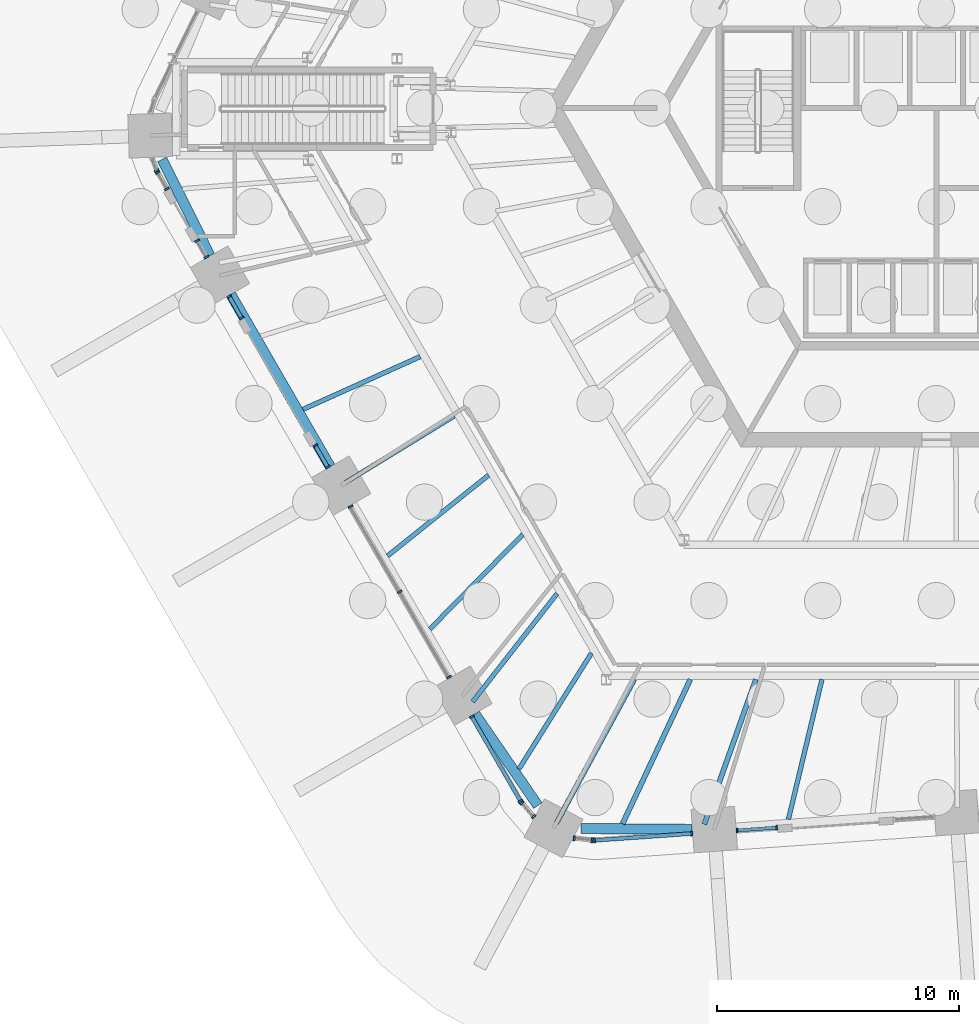
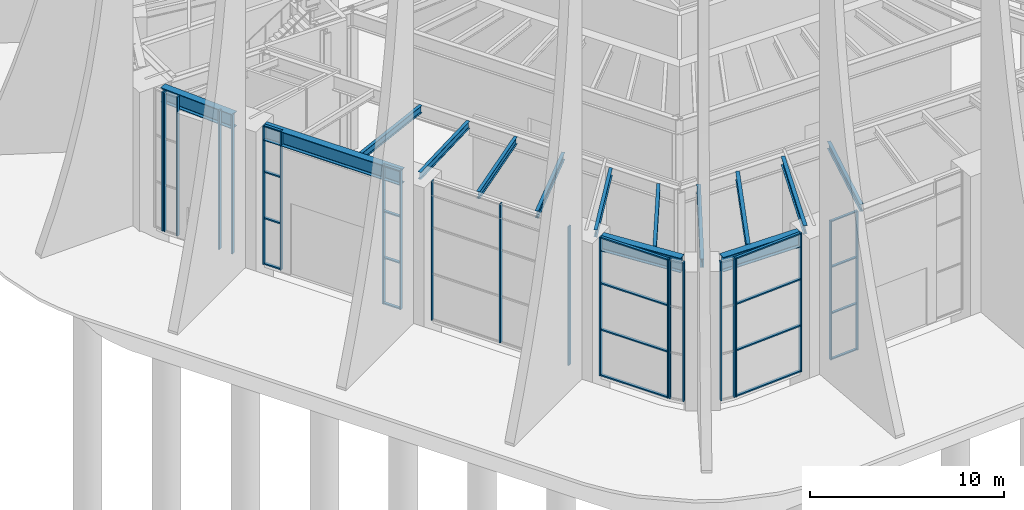
# One storey, part 4 of 43: 42 members, 14 beams, 11 elements without a shape of their own.
"""IFC4 building model written with IfcOpenShell, lengths in metres."""

from ifc_helpers import new_model, si_unit, direction, frame, origin, origin_2d, place, context, subcontext, project, spatial, rectangle, i_section, extrude, material, material_profile, profile_set, type_object, element, aggregate, save


model = new_model("IFC4")

# Units and contexts
model_context = context("Model", 3, precision=1e-05, world=origin(), true_north=direction((0.0, 1.0)))
body_context = subcontext(model_context, "Body", "Model", "MODEL_VIEW")
ifc_project = project(units=[si_unit("LENGTHUNIT", "METRE"), si_unit("AREAUNIT", "SQUARE_METRE"), si_unit("VOLUMEUNIT", "CUBIC_METRE"), si_unit("PLANEANGLEUNIT", "RADIAN"), si_unit("MASSUNIT", "GRAM", prefix="KILO")], contexts=[model_context])

# Site, building, storey
site_placement = place(None, origin())
site = spatial("IfcSite", under=ifc_project, at=site_placement, CompositionType="ELEMENT")
building_placement = place(site_placement, origin())
building = spatial("IfcBuilding", under=site, at=building_placement, Name="Tarnside Tower", CompositionType="ELEMENT")
storey_placement = place(building_placement, origin())
storey = spatial("IfcBuildingStorey", under=building, at=storey_placement, Name="L00", CompositionType="ELEMENT", Elevation=0.0)

# Beams
ifc_material_1 = material(Name="Steel S355", Category="steel")
ifc_material_profile_1 = material_profile(ifc_material_1, i_section(OverallWidth=0.18994140625, OverallDepth=0.453369140625, WebThickness=0.008544921875, FlangeThickness=0.0126953125, FilletRadius=0.01025390625, at=origin_2d()), Name="UB 457x191x67")
ifc_profile_set_1 = profile_set([ifc_material_profile_1], Name="Steel S355")
beam_type_1 = type_object("IfcBeamType", Name="Floor beam UB 457x191x67", PredefinedType="BEAM", material=ifc_profile_set_1)
beam_1_placement = place(storey_placement, frame((-26.171875, -12.44873046875, 8.523193359375), z_axis=(0.911701954264, 0.410852219894, 0.0), x_axis=(-0.410852219894, 0.911701954264, 0.0)))
element("IfcBeam", 1, at=beam_1_placement, inside=storey, type_object=beam_type_1, Name="Floor beam F3.04a", PredefinedType="BEAM", context=body_context, shape_type="SweptSolid", body=[
    extrude(i_section(OverallWidth=0.18994140625, OverallDepth=0.453369140625, WebThickness=0.008544921875, FlangeThickness=0.0126953125, FilletRadius=0.01025390625, at=origin_2d()), origin(), (0.0, 0.0, 1.0), 5.308837890625),
])
beam_2_placement = place(storey_placement, frame((-24.42431640625, -15.47509765625, 8.523193359375), z_axis=(0.852942418075, 0.522005010943, 0.0), x_axis=(-0.522005010943, 0.852942418075, 0.0)))
element("IfcBeam", 2, at=beam_2_placement, inside=storey, type_object=beam_type_1, Name="Floor beam F3.05a", PredefinedType="BEAM", context=body_context, shape_type="SweptSolid", body=[
    extrude(i_section(OverallWidth=0.18994140625, OverallDepth=0.453369140625, WebThickness=0.008544921875, FlangeThickness=0.0126953125, FilletRadius=0.01025390625, at=origin_2d()), origin(), (0.0, 0.0, 1.0), 5.28369140625),
])
beam_3_placement = place(storey_placement, frame((-22.677001953125, -18.501708984375, 8.523193359375), z_axis=(0.781203071378, 0.624276990822, 0.0), x_axis=(-0.624276990822, 0.781203071378, 0.0)))
element("IfcBeam", 3, at=beam_3_placement, inside=storey, type_object=beam_type_1, Name="Floor beam F3.06a", PredefinedType="BEAM", context=body_context, shape_type="SweptSolid", body=[
    extrude(i_section(OverallWidth=0.18994140625, OverallDepth=0.453369140625, WebThickness=0.008544921875, FlangeThickness=0.0126953125, FilletRadius=0.01025390625, at=origin_2d()), origin(), (0.0, 0.0, 1.0), 5.342529296875),
])
beam_4_placement = place(storey_placement, frame((-20.9296875, -21.528076171875, 8.523193359375), z_axis=(0.700529883404, 0.713623067493, 0.0), x_axis=(-0.713623067493, 0.700529883404, 0.0)))
element("IfcBeam", 4, at=beam_4_placement, inside=storey, type_object=beam_type_1, Name="Floor beam F3.07a", PredefinedType="BEAM", context=body_context, shape_type="SweptSolid", body=[
    extrude(i_section(OverallWidth=0.18994140625, OverallDepth=0.453369140625, WebThickness=0.008544921875, FlangeThickness=0.0126953125, FilletRadius=0.01025390625, at=origin_2d()), origin(), (0.0, 0.0, 1.0), 5.48193359375),
])
beam_5_placement = place(storey_placement, frame((-19.159912109375, -24.52587890625, 8.523193359375), z_axis=(0.615659107807, 0.788012603309, 0.0), x_axis=(-0.788012603309, 0.615659107807, 0.0)))
element("IfcBeam", 5, at=beam_5_placement, inside=storey, type_object=beam_type_1, Name="Floor beam F3.08a", PredefinedType="BEAM", context=body_context, shape_type="SweptSolid", body=[
    extrude(i_section(OverallWidth=0.18994140625, OverallDepth=0.453369140625, WebThickness=0.008544921875, FlangeThickness=0.0126953125, FilletRadius=0.01025390625, at=origin_2d()), origin(), (0.0, 0.0, 1.0), 5.660400390625),
])
beam_6_placement = place(storey_placement, frame((-17.248779296875, -27.31103515625, 8.523193359375), z_axis=(0.530224377258, 0.847857364043, 0.0), x_axis=(-0.847857364043, 0.530224377258, 0.0)))
element("IfcBeam", 6, at=beam_6_placement, inside=storey, type_object=beam_type_1, Name="Floor beam F3.09a", PredefinedType="BEAM", context=body_context, shape_type="SweptSolid", body=[
    extrude(i_section(OverallWidth=0.18994140625, OverallDepth=0.453369140625, WebThickness=0.008544921875, FlangeThickness=0.0126953125, FilletRadius=0.01025390625, at=origin_2d()), origin(), (0.0, 0.0, 1.0), 5.6455078125),
])
beam_7_placement = place(storey_placement, frame((-6.113037109375, -29.3876953125, 8.523193359375), z_axis=(0.233101077282, 0.972452511833, 0.0), x_axis=(-0.972452511833, 0.233101077282, 0.0)))
element("IfcBeam", 7, at=beam_7_placement, inside=storey, type_object=beam_type_1, Name="Floor beam F4.03a", PredefinedType="BEAM", context=body_context, shape_type="SweptSolid", body=[
    extrude(i_section(OverallWidth=0.18994140625, OverallDepth=0.453369140625, WebThickness=0.008544921875, FlangeThickness=0.0126953125, FilletRadius=0.01025390625, at=origin_2d()), origin(), (0.0, 0.0, 1.0), 5.94384765625),
])
ifc_material_profile_2 = material_profile(ifc_material_1, i_section(OverallWidth=0.209228515625, OverallDepth=0.533203125, WebThickness=0.010009765625, FlangeThickness=0.015625, FilletRadius=0.0126953125, at=origin_2d()), Name="UB 533x210x92")
ifc_profile_set_2 = profile_set([ifc_material_profile_2], Name="Steel S355")
beam_type_2 = type_object("IfcBeamType", Name="Floor beam UB 533x210x92", PredefinedType="BEAM", material=ifc_profile_set_2)
beam_8_placement = place(storey_placement, frame((-15.70458984375, -29.550537109375, 8.4833984375), z_axis=(0.476583293481, 0.879129321758, 0.0), x_axis=(-0.879129321758, 0.476583293481, 0.0)))
element("IfcBeam", 8, at=beam_8_placement, inside=storey, type_object=beam_type_2, Name="Floor beam C3a", PredefinedType="BEAM", context=body_context, shape_type="SweptSolid", body=[
    extrude(i_section(OverallWidth=0.209228515625, OverallDepth=0.533203125, WebThickness=0.010009765625, FlangeThickness=0.015625, FilletRadius=0.0126953125, at=origin_2d()), origin(), (0.0, 0.0, 1.0), 6.760009765625),
])
beam_9_placement = place(storey_placement, frame((-12.9677734375, -29.572265625, 8.4833984375), z_axis=(0.424918910338, 0.905231417725, 0.0), x_axis=(-0.905231417725, 0.424918910338, 0.0)))
element("IfcBeam", 9, at=beam_9_placement, inside=storey, type_object=beam_type_2, Name="Floor beam F4.01a", PredefinedType="BEAM", context=body_context, shape_type="SweptSolid", body=[
    extrude(i_section(OverallWidth=0.209228515625, OverallDepth=0.533203125, WebThickness=0.010009765625, FlangeThickness=0.015625, FilletRadius=0.0126953125, at=origin_2d()), origin(), (0.0, 0.0, 1.0), 6.589111328125),
])
beam_10_placement = place(storey_placement, frame((-9.59130859375, -29.599365234375, 8.4833984375), z_axis=(0.335178552424, 0.942154625311, 0.0), x_axis=(-0.942154625311, 0.335178552424, 0.0)))
element("IfcBeam", 10, at=beam_10_placement, inside=storey, type_object=beam_type_2, Name="Floor beam F4.02a", PredefinedType="BEAM", context=body_context, shape_type="SweptSolid", body=[
    extrude(i_section(OverallWidth=0.209228515625, OverallDepth=0.533203125, WebThickness=0.010009765625, FlangeThickness=0.015625, FilletRadius=0.0126953125, at=origin_2d()), origin(), (0.0, 0.0, 1.0), 6.359619140625),
])

# Curtain wall, members
ifc_material_2 = material(Name="Lobby entrance glazing wall", Category="glass")
curtain_wall_type_1 = type_object("IfcCurtainWallType", Name="Lobby entrance glazing wall", PredefinedType="NOTDEFINED", material=ifc_material_2)
curtain_wall_1_placement = place(storey_placement, origin())
curtain_wall_1 = element("IfcCurtainWall", 11, at=curtain_wall_1_placement, inside=storey, type_object=curtain_wall_type_1, Name="Side light 12a", PredefinedType="NOTDEFINED")
ifc_material_3 = material(Name="Aluminium alloy 6063", Category="aluminium")
ifc_material_profile_3 = material_profile(ifc_material_3, rectangle(XDim=0.179931640625, YDim=0.070068359375, at=origin_2d()), Name="Lobby entrance glazing mullion 70 x 180")
ifc_profile_set_3 = profile_set([ifc_material_profile_3], Name="Aluminium alloy 6063")
member_type_1 = type_object("IfcMemberType", Name="Lobby entrance glazing mullion 70 x 180", PredefinedType="MULLION", material=ifc_profile_set_3)
member_1_placement = place(storey_placement, frame((-8.23779296875, -29.847412109375, 0.0), z_axis=(0.0, 0.0, 1.0), x_axis=(-0.06975647411, 0.997564050234, 0.0)))
member_1 = element("IfcMember", 12, at=member_1_placement, type_object=member_type_1, Name="CW3 mullion 1", PredefinedType="MULLION", context=body_context, shape_type="SweptSolid", body=[
    extrude(rectangle(XDim=0.179931640625, YDim=0.070068359375, at=origin_2d()), origin(), (0.0, 0.0, 1.0), 8.75),
])
member_2_placement = place(storey_placement, frame((-6.599853515625, -29.73291015625, 0.0), z_axis=(0.0, 0.0, 1.0), x_axis=(-0.06975647411, 0.997564050234, 0.0)))
member_2 = element("IfcMember", 13, at=member_2_placement, type_object=member_type_1, Name="CW3 mullion 2", PredefinedType="MULLION", context=body_context, shape_type="SweptSolid", body=[
    extrude(rectangle(XDim=0.179931640625, YDim=0.070068359375, at=origin_2d()), origin(), (0.0, 0.0, 1.0), 8.75),
])
ifc_material_profile_4 = material_profile(ifc_material_3, rectangle(XDim=0.139892578125, YDim=0.070068359375, at=origin_2d()), Name="Lobby entrance glazing transom 70 x 140")
ifc_profile_set_4 = profile_set([ifc_material_profile_4], Name="Aluminium alloy 6063")
member_type_2 = type_object("IfcMemberType", Name="Lobby entrance glazing transom 70 x 140", PredefinedType="USERDEFINED", material=ifc_profile_set_4)
member_3_placement = place(storey_placement, frame((-8.202880859375, -29.844970703125, 0.034912109375), z_axis=(0.997565562149, 0.069734849355, 0.0), x_axis=(-0.069734849355, 0.997565562149, 0.0)))
member_3 = element("IfcMember", 14, at=member_3_placement, type_object=member_type_2, Name="CW3 transom 1.1", ObjectType="TRANSOM", PredefinedType="USERDEFINED", context=body_context, shape_type="SweptSolid", body=[
    extrude(rectangle(XDim=0.139892578125, YDim=0.070068359375, at=origin_2d()), origin(), (0.0, 0.0, 1.0), 1.572021484375),
])
member_4_placement = place(storey_placement, frame((-8.202880859375, -29.844970703125, 2.916748046875), z_axis=(0.997565562149, 0.069734849355, 0.0), x_axis=(-0.069734849355, 0.997565562149, 0.0)))
member_4 = element("IfcMember", 15, at=member_4_placement, type_object=member_type_2, Name="CW3 transom 1.2", ObjectType="TRANSOM", PredefinedType="USERDEFINED", context=body_context, shape_type="SweptSolid", body=[
    extrude(rectangle(XDim=0.139892578125, YDim=0.070068359375, at=origin_2d()), origin(), (0.0, 0.0, 1.0), 1.572021484375),
])
member_5_placement = place(storey_placement, frame((-8.202880859375, -29.844970703125, 5.833251953125), z_axis=(0.997565562149, 0.069734849355, 0.0), x_axis=(-0.069734849355, 0.997565562149, 0.0)))
member_5 = element("IfcMember", 16, at=member_5_placement, type_object=member_type_2, Name="CW3 transom 1.3", ObjectType="TRANSOM", PredefinedType="USERDEFINED", context=body_context, shape_type="SweptSolid", body=[
    extrude(rectangle(XDim=0.139892578125, YDim=0.070068359375, at=origin_2d()), origin(), (0.0, 0.0, 1.0), 1.572021484375),
])
member_6_placement = place(storey_placement, frame((-8.202880859375, -29.844970703125, 8.715087890625), z_axis=(0.997565562149, 0.069734849355, 0.0), x_axis=(-0.069734849355, 0.997565562149, 0.0)))
member_6 = element("IfcMember", 17, at=member_6_placement, type_object=member_type_2, Name="CW3 transom 1.4", ObjectType="TRANSOM", PredefinedType="USERDEFINED", context=body_context, shape_type="SweptSolid", body=[
    extrude(rectangle(XDim=0.139892578125, YDim=0.070068359375, at=origin_2d()), origin(), (0.0, 0.0, 1.0), 1.572021484375),
])
aggregate(curtain_wall_1, [member_1, member_2, member_3, member_4, member_5, member_6])

# Beams
ifc_material_4 = material(Name="Steel S460", Category="steel")
ifc_material_profile_5 = material_profile(ifc_material_4, i_section(OverallWidth=0.42041015625, OverallDepth=0.9208984375, WebThickness=0.021484375, FlangeThickness=0.03662109375, FilletRadius=0.024169921875, at=origin_2d()), Name="UB 914x419x388")
ifc_profile_set_5 = profile_set([ifc_material_profile_5], Name="Steel S460")
beam_type_3 = type_object("IfcBeamType", Name="Perimeter girder UB 914x419x388", PredefinedType="BEAM", material=ifc_profile_set_5)
beam_11_placement = place(storey_placement, frame((-31.995849609375, -2.119140625, 8.28955078125), z_axis=(0.44551934757, -0.895272311055, 0.0), x_axis=(0.895272311055, 0.44551934757, 0.0)))
element("IfcBeam", 18, at=beam_11_placement, inside=storey, type_object=beam_type_3, Name="Perimeter girder M08", PredefinedType="BEAM", context=body_context, shape_type="SweptSolid", body=[
    extrude(i_section(OverallWidth=0.42041015625, OverallDepth=0.9208984375, WebThickness=0.021484375, FlangeThickness=0.03662109375, FilletRadius=0.024169921875, at=origin_2d()), origin(), (0.0, 0.0, 1.0), 4.4404296875),
])
beam_12_placement = place(storey_placement, frame((-29.15771484375, -7.697509765625, 8.28955078125), z_axis=(0.500002567197, -0.866023921607, 0.0), x_axis=(0.866023921607, 0.500002567197, 0.0)))
element("IfcBeam", 19, at=beam_12_placement, inside=storey, type_object=beam_type_3, Name="Perimeter girder M09", PredefinedType="BEAM", context=body_context, shape_type="SweptSolid", body=[
    extrude(i_section(OverallWidth=0.42041015625, OverallDepth=0.9208984375, WebThickness=0.021484375, FlangeThickness=0.03662109375, FilletRadius=0.024169921875, at=origin_2d()), origin(), (0.0, 0.0, 1.0), 8.2236328125),
])
for number, where, z_axis, x_axis, name in (
    (20, (-19.0634765625, -25.0380859375, 8.28955078125), (0.56579211703, -0.824547924809, 0.0), (0.824547924809, 0.56579211703, 0.0), "Perimeter girder M11"),
    (21, (-14.68359375, -29.768798828125, 8.28955078125), (0.999968120657, -0.007984839931, 0.0), (0.007984839931, 0.999968120657, 0.0), "Perimeter girder M12"),
):
    element("IfcBeam", number, at=place(storey_placement, frame(where, z_axis=z_axis, x_axis=x_axis)), inside=storey, type_object=beam_type_3, Name=name, PredefinedType="BEAM", context=body_context, shape_type="SweptSolid", body=[
        extrude(i_section(OverallWidth=0.42041015625, OverallDepth=0.9208984375, WebThickness=0.021484375, FlangeThickness=0.03662109375, FilletRadius=0.024169921875, at=origin_2d()), origin(), (0.0, 0.0, 1.0), 4.58642578125),
    ])

# Curtain wall, member
ifc_material_5 = material(Name="Station concourse glazing wall", Category="glass")
curtain_wall_type_2 = type_object("IfcCurtainWallType", Name="Station concourse glazing wall", PredefinedType="NOTDEFINED", material=ifc_material_5)
curtain_wall_2_placement = place(storey_placement, origin())
curtain_wall_2 = element("IfcCurtainWall", 22, at=curtain_wall_2_placement, inside=storey, type_object=curtain_wall_type_2, Name="Side light 070a", PredefinedType="NOTDEFINED")
ifc_material_profile_6 = material_profile(ifc_material_3, rectangle(XDim=0.199951171875, YDim=0.080078125, at=origin_2d()), Name="Station concourse glazing mullion 80 x 200")
ifc_profile_set_6 = profile_set([ifc_material_profile_6], Name="Aluminium alloy 6063")
member_type_3 = type_object("IfcMemberType", Name="Station concourse glazing mullion 80 x 200", PredefinedType="MULLION", material=ifc_profile_set_6)
member_7_placement = place(storey_placement, frame((-32.22119140625, -2.575439453125, 0.0), z_axis=(0.0, 0.0, 1.0), x_axis=(0.935649515443, 0.352930565764, 0.0)))
member_7 = element("IfcMember", 23, at=member_7_placement, type_object=member_type_3, Name="CW1 mullion 2", PredefinedType="MULLION", context=body_context, shape_type="SweptSolid", body=[
    extrude(rectangle(XDim=0.199951171875, YDim=0.080078125, at=origin_2d()), origin(), (0.0, 0.0, 1.0), 8.75),
])
aggregate(curtain_wall_2, [member_7])

# Curtain wall, members
curtain_wall_3_placement = place(storey_placement, origin())
curtain_wall_3 = element("IfcCurtainWall", 24, at=curtain_wall_3_placement, inside=storey, type_object=curtain_wall_type_2, Name="Side light 071a", PredefinedType="NOTDEFINED")
member_8_placement = place(storey_placement, frame((-32.18017578125, -2.662353515625, 0.0), z_axis=(0.0, 0.0, 1.0), x_axis=(0.866025403758, 0.500000000045, 0.0)))
member_8 = element("IfcMember", 25, at=member_8_placement, type_object=member_type_3, Name="CW1 mullion 1", PredefinedType="MULLION", context=body_context, shape_type="SweptSolid", body=[
    extrude(rectangle(XDim=0.199951171875, YDim=0.080078125, at=origin_2d()), origin(), (0.0, 0.0, 1.0), 8.75),
])
member_9_placement = place(storey_placement, frame((-31.792236328125, -3.334228515625, 0.0), z_axis=(0.0, 0.0, 1.0), x_axis=(0.866025403758, 0.500000000045, 0.0)))
member_9 = element("IfcMember", 26, at=member_9_placement, type_object=member_type_3, Name="CW1 mullion 2", PredefinedType="MULLION", context=body_context, shape_type="SweptSolid", body=[
    extrude(rectangle(XDim=0.199951171875, YDim=0.080078125, at=origin_2d()), origin(), (0.0, 0.0, 1.0), 8.75),
])
aggregate(curtain_wall_3, [member_8, member_9])

curtain_wall_4_placement = place(storey_placement, origin())
curtain_wall_4 = element("IfcCurtainWall", 27, at=curtain_wall_4_placement, inside=storey, type_object=curtain_wall_type_2, Name="Side light 071x1", PredefinedType="NOTDEFINED")
member_10_placement = place(storey_placement, frame((-30.55224609375, -5.48193359375, 0.0), z_axis=(0.0, 0.0, 1.0), x_axis=(0.866025403758, 0.500000000045, 0.0)))
member_10 = element("IfcMember", 28, at=member_10_placement, type_object=member_type_3, Name="CW1 mullion 1", PredefinedType="MULLION", context=body_context, shape_type="SweptSolid", body=[
    extrude(rectangle(XDim=0.199951171875, YDim=0.080078125, at=origin_2d()), origin(), (0.0, 0.0, 1.0), 8.75),
])
member_11_placement = place(storey_placement, frame((-30.164306640625, -6.154052734375, 0.0), z_axis=(0.0, 0.0, 1.0), x_axis=(0.866025403758, 0.500000000045, 0.0)))
member_11 = element("IfcMember", 29, at=member_11_placement, type_object=member_type_3, Name="CW1 mullion 2", PredefinedType="MULLION", context=body_context, shape_type="SweptSolid", body=[
    extrude(rectangle(XDim=0.199951171875, YDim=0.080078125, at=origin_2d()), origin(), (0.0, 0.0, 1.0), 8.75),
])
aggregate(curtain_wall_4, [member_10, member_11])

curtain_wall_5_placement = place(storey_placement, origin())
curtain_wall_5 = element("IfcCurtainWall", 30, at=curtain_wall_5_placement, inside=storey, type_object=curtain_wall_type_2, Name="Side light 08a", PredefinedType="NOTDEFINED")
member_12_placement = place(storey_placement, frame((-29.224365234375, -7.7822265625, 0.0), z_axis=(0.0, 0.0, 1.0), x_axis=(0.866025404195, 0.49999999929, 0.0)))
member_12 = element("IfcMember", 31, at=member_12_placement, type_object=member_type_3, Name="CW1 mullion 1", PredefinedType="MULLION", context=body_context, shape_type="SweptSolid", body=[
    extrude(rectangle(XDim=0.199951171875, YDim=0.080078125, at=origin_2d()), origin(), (0.0, 0.0, 1.0), 8.75),
])
member_13_placement = place(storey_placement, frame((-28.708251953125, -8.67578125, 0.0), z_axis=(0.0, 0.0, 1.0), x_axis=(0.866025404195, 0.49999999929, 0.0)))
member_13 = element("IfcMember", 32, at=member_13_placement, type_object=member_type_3, Name="CW1 mullion 2", PredefinedType="MULLION", context=body_context, shape_type="SweptSolid", body=[
    extrude(rectangle(XDim=0.199951171875, YDim=0.080078125, at=origin_2d()), origin(), (0.0, 0.0, 1.0), 8.75),
])

curtain_wall_6_placement = place(storey_placement, origin())
curtain_wall_6 = element("IfcCurtainWall", 33, at=curtain_wall_6_placement, inside=storey, type_object=curtain_wall_type_2, Name="Side light 08b", PredefinedType="NOTDEFINED")
member_14_placement = place(storey_placement, frame((-25.668212890625, -13.941162109375, 0.0), z_axis=(0.0, 0.0, 1.0), x_axis=(0.866025403802, 0.49999999997, 0.0)))
member_14 = element("IfcMember", 34, at=member_14_placement, type_object=member_type_3, Name="CW1 mullion 1", PredefinedType="MULLION", context=body_context, shape_type="SweptSolid", body=[
    extrude(rectangle(XDim=0.199951171875, YDim=0.080078125, at=origin_2d()), origin(), (0.0, 0.0, 1.0), 8.75),
])
member_15_placement = place(storey_placement, frame((-25.15234375, -14.834716796875, 0.0), z_axis=(0.0, 0.0, 1.0), x_axis=(0.866025403802, 0.49999999997, 0.0)))
member_15 = element("IfcMember", 35, at=member_15_placement, type_object=member_type_3, Name="CW1 mullion 2", PredefinedType="MULLION", context=body_context, shape_type="SweptSolid", body=[
    extrude(rectangle(XDim=0.199951171875, YDim=0.080078125, at=origin_2d()), origin(), (0.0, 0.0, 1.0), 8.75),
])

curtain_wall_7_placement = place(storey_placement, origin())
curtain_wall_7 = element("IfcCurtainWall", 36, at=curtain_wall_7_placement, inside=storey, type_object=curtain_wall_type_2, Name="Station concourse glazing L00 09.0", PredefinedType="NOTDEFINED")
member_16_placement = place(storey_placement, frame((-24.21240234375, -16.462890625, 0.0), z_axis=(0.0, 0.0, 1.0), x_axis=(0.866025403741, 0.500000000076, 0.0)))
member_16 = element("IfcMember", 37, at=member_16_placement, type_object=member_type_3, Name="CW1 mullion 1", PredefinedType="MULLION", context=body_context, shape_type="SweptSolid", body=[
    extrude(rectangle(XDim=0.199951171875, YDim=0.080078125, at=origin_2d()), origin(), (0.0, 0.0, 1.0), 8.75),
])
member_17_placement = place(storey_placement, frame((-22.176513671875, -19.9892578125, 0.0), z_axis=(0.0, 0.0, 1.0), x_axis=(0.866025403741, 0.500000000076, 0.0)))
member_17 = element("IfcMember", 38, at=member_17_placement, type_object=member_type_3, Name="CW1 mullion 2", PredefinedType="MULLION", context=body_context, shape_type="SweptSolid", body=[
    extrude(rectangle(XDim=0.199951171875, YDim=0.080078125, at=origin_2d()), origin(), (0.0, 0.0, 1.0), 8.75),
])
member_18_placement = place(storey_placement, frame((-20.140625, -23.515625, 0.0), z_axis=(0.0, 0.0, 1.0), x_axis=(0.866025403741, 0.500000000076, 0.0)))
member_18 = element("IfcMember", 39, at=member_18_placement, type_object=member_type_3, Name="CW1 mullion 3", PredefinedType="MULLION", context=body_context, shape_type="SweptSolid", body=[
    extrude(rectangle(XDim=0.199951171875, YDim=0.080078125, at=origin_2d()), origin(), (0.0, 0.0, 1.0), 8.75),
])
aggregate(curtain_wall_7, [member_16, member_17, member_18])

curtain_wall_8_placement = place(storey_placement, origin())
curtain_wall_8 = element("IfcCurtainWall", 40, at=curtain_wall_8_placement, inside=storey, type_object=curtain_wall_type_2, Name="Station concourse glazing L00 10.0", PredefinedType="NOTDEFINED")
member_19_placement = place(storey_placement, frame((-19.200439453125, -25.1435546875, 0.0), z_axis=(0.0, 0.0, 1.0), x_axis=(0.866025403872, 0.499999999849, 0.0)))
member_19 = element("IfcMember", 41, at=member_19_placement, type_object=member_type_3, Name="CW1 mullion 1", PredefinedType="MULLION", context=body_context, shape_type="SweptSolid", body=[
    extrude(rectangle(XDim=0.199951171875, YDim=0.080078125, at=origin_2d()), origin(), (0.0, 0.0, 1.0), 8.75),
])
member_20_placement = place(storey_placement, frame((-17.1845703125, -28.63525390625, 0.0), z_axis=(0.0, 0.0, 1.0), x_axis=(0.866025403872, 0.499999999849, 0.0)))
member_20 = element("IfcMember", 42, at=member_20_placement, type_object=member_type_3, Name="CW1 mullion 2", PredefinedType="MULLION", context=body_context, shape_type="SweptSolid", body=[
    extrude(rectangle(XDim=0.199951171875, YDim=0.080078125, at=origin_2d()), origin(), (0.0, 0.0, 1.0), 8.75),
])

curtain_wall_9_placement = place(storey_placement, origin())
curtain_wall_9 = element("IfcCurtainWall", 43, at=curtain_wall_9_placement, inside=storey, type_object=curtain_wall_type_2, Name="Station concourse glazing L00 10.1", PredefinedType="NOTDEFINED")
member_21_placement = place(storey_placement, frame((-17.1279296875, -28.715576171875, 0.0), z_axis=(0.0, 0.0, 1.0), x_axis=(0.758513583345, 0.651657228826, 0.0)))
member_21 = element("IfcMember", 44, at=member_21_placement, type_object=member_type_3, Name="CW1 mullion 1", PredefinedType="MULLION", context=body_context, shape_type="SweptSolid", body=[
    extrude(rectangle(XDim=0.199951171875, YDim=0.080078125, at=origin_2d()), origin(), (0.0, 0.0, 1.0), 8.75),
])
member_22_placement = place(storey_placement, frame((-16.644775390625, -29.27783203125, 0.0), z_axis=(0.0, 0.0, 1.0), x_axis=(0.758513583345, 0.651657228826, 0.0)))
member_22 = element("IfcMember", 45, at=member_22_placement, type_object=member_type_3, Name="CW1 mullion 2", PredefinedType="MULLION", context=body_context, shape_type="SweptSolid", body=[
    extrude(rectangle(XDim=0.199951171875, YDim=0.080078125, at=origin_2d()), origin(), (0.0, 0.0, 1.0), 8.75),
])
aggregate(curtain_wall_9, [member_21, member_22])

curtain_wall_10_placement = place(storey_placement, origin())
curtain_wall_10 = element("IfcCurtainWall", 46, at=curtain_wall_10_placement, inside=storey, type_object=curtain_wall_type_2, Name="Station concourse glazing L00 11.0", PredefinedType="NOTDEFINED")
member_23_placement = place(storey_placement, frame((-14.96484375, -30.171142578125, 0.0), z_axis=(0.0, 0.0, 1.0), x_axis=(0.116092914044, 0.993238357751, 0.0)))
member_23 = element("IfcMember", 47, at=member_23_placement, type_object=member_type_3, Name="CW1 mullion 1", PredefinedType="MULLION", context=body_context, shape_type="SweptSolid", body=[
    extrude(rectangle(XDim=0.199951171875, YDim=0.080078125, at=origin_2d()), origin(), (0.0, 0.0, 1.0), 8.75),
])
member_24_placement = place(storey_placement, frame((-14.228515625, -30.257080078125, 0.0), z_axis=(0.0, 0.0, 1.0), x_axis=(0.116092914044, 0.993238357751, 0.0)))
member_24 = element("IfcMember", 48, at=member_24_placement, type_object=member_type_3, Name="CW1 mullion 2", PredefinedType="MULLION", context=body_context, shape_type="SweptSolid", body=[
    extrude(rectangle(XDim=0.199951171875, YDim=0.080078125, at=origin_2d()), origin(), (0.0, 0.0, 1.0), 8.75),
])
aggregate(curtain_wall_10, [member_23, member_24])

curtain_wall_11_placement = place(storey_placement, origin())
curtain_wall_11 = element("IfcCurtainWall", 49, at=curtain_wall_11_placement, inside=storey, type_object=curtain_wall_type_2, Name="Station concourse glazing L00 11.1", PredefinedType="NOTDEFINED")
member_25_placement = place(storey_placement, frame((-14.130126953125, -30.25927734375, 0.0), z_axis=(0.0, 0.0, 1.0), x_axis=(-0.069756473901, 0.997564050249, 0.0)))
member_25 = element("IfcMember", 50, at=member_25_placement, type_object=member_type_3, Name="CW1 mullion 1", PredefinedType="MULLION", context=body_context, shape_type="SweptSolid", body=[
    extrude(rectangle(XDim=0.199951171875, YDim=0.080078125, at=origin_2d()), origin(), (0.0, 0.0, 1.0), 8.75),
])
member_26_placement = place(storey_placement, frame((-10.108154296875, -29.97802734375, 0.0), z_axis=(0.0, 0.0, 1.0), x_axis=(-0.069756473901, 0.997564050249, 0.0)))
member_26 = element("IfcMember", 51, at=member_26_placement, type_object=member_type_3, Name="CW1 mullion 2", PredefinedType="MULLION", context=body_context, shape_type="SweptSolid", body=[
    extrude(rectangle(XDim=0.199951171875, YDim=0.080078125, at=origin_2d()), origin(), (0.0, 0.0, 1.0), 8.75),
])

# Member
ifc_material_profile_7 = material_profile(ifc_material_3, rectangle(XDim=0.159912109375, YDim=0.080078125, at=origin_2d()), Name="Station concourse glazing transom 80 x 160")
ifc_profile_set_7 = profile_set([ifc_material_profile_7], Name="Aluminium alloy 6063")
member_type_4 = type_object("IfcMemberType", Name="Station concourse glazing transom 80 x 160", PredefinedType="USERDEFINED", material=ifc_profile_set_7)
member_27_placement = place(storey_placement, frame((-29.204345703125, -7.816650390625, 0.0400390625), z_axis=(0.500055416838, -0.865993406494, 0.0), x_axis=(0.865993406494, 0.500055416838, 0.0)))
member_27 = element("IfcMember", 52, at=member_27_placement, type_object=member_type_4, Name="CW1 transom 1.1", ObjectType="TRANSOM", PredefinedType="USERDEFINED", context=body_context, shape_type="SweptSolid", body=[
    extrude(rectangle(XDim=0.159912109375, YDim=0.080078125, at=origin_2d()), origin(), (0.0, 0.0, 1.0), 0.9521484375),
])

member_28_placement = place(storey_placement, frame((-29.204345703125, -7.816650390625, 2.916748046875), z_axis=(0.500055416838, -0.865993406494, 0.0), x_axis=(0.865993406494, 0.500055416838, 0.0)))
member_28 = element("IfcMember", 53, at=member_28_placement, type_object=member_type_4, Name="CW1 transom 1.2", ObjectType="TRANSOM", PredefinedType="USERDEFINED", context=body_context, shape_type="SweptSolid", body=[
    extrude(rectangle(XDim=0.159912109375, YDim=0.080078125, at=origin_2d()), origin(), (0.0, 0.0, 1.0), 0.9521484375),
])

member_29_placement = place(storey_placement, frame((-29.204345703125, -7.816650390625, 5.833251953125), z_axis=(0.500055416838, -0.865993406494, 0.0), x_axis=(0.865993406494, 0.500055416838, 0.0)))
member_29 = element("IfcMember", 54, at=member_29_placement, type_object=member_type_4, Name="CW1 transom 1.3", ObjectType="TRANSOM", PredefinedType="USERDEFINED", context=body_context, shape_type="SweptSolid", body=[
    extrude(rectangle(XDim=0.159912109375, YDim=0.080078125, at=origin_2d()), origin(), (0.0, 0.0, 1.0), 0.9521484375),
])

member_30_placement = place(storey_placement, frame((-29.204345703125, -7.816650390625, 8.7099609375), z_axis=(0.500055416838, -0.865993406494, 0.0), x_axis=(0.865993406494, 0.500055416838, 0.0)))
member_30 = element("IfcMember", 55, at=member_30_placement, type_object=member_type_4, Name="CW1 transom 1.4", ObjectType="TRANSOM", PredefinedType="USERDEFINED", context=body_context, shape_type="SweptSolid", body=[
    extrude(rectangle(XDim=0.159912109375, YDim=0.080078125, at=origin_2d()), origin(), (0.0, 0.0, 1.0), 0.9521484375),
])

aggregate(curtain_wall_5, [member_12, member_13, member_27, member_28, member_29, member_30])

member_31_placement = place(storey_placement, frame((-25.6484375, -13.975830078125, 0.0400390625), z_axis=(0.500166486798, -0.865929261247, 0.0), x_axis=(0.865929261247, 0.500166486798, 0.0)))
member_31 = element("IfcMember", 56, at=member_31_placement, type_object=member_type_4, Name="CW1 transom 1.1", ObjectType="TRANSOM", PredefinedType="USERDEFINED", context=body_context, shape_type="SweptSolid", body=[
    extrude(rectangle(XDim=0.159912109375, YDim=0.080078125, at=origin_2d()), origin(), (0.0, 0.0, 1.0), 0.951904296875),
])

member_32_placement = place(storey_placement, frame((-25.6484375, -13.975830078125, 2.916748046875), z_axis=(0.500166486798, -0.865929261247, 0.0), x_axis=(0.865929261247, 0.500166486798, 0.0)))
member_32 = element("IfcMember", 57, at=member_32_placement, type_object=member_type_4, Name="CW1 transom 1.2", ObjectType="TRANSOM", PredefinedType="USERDEFINED", context=body_context, shape_type="SweptSolid", body=[
    extrude(rectangle(XDim=0.159912109375, YDim=0.080078125, at=origin_2d()), origin(), (0.0, 0.0, 1.0), 0.951904296875),
])

member_33_placement = place(storey_placement, frame((-25.6484375, -13.975830078125, 5.833251953125), z_axis=(0.500166486798, -0.865929261247, 0.0), x_axis=(0.865929261247, 0.500166486798, 0.0)))
member_33 = element("IfcMember", 58, at=member_33_placement, type_object=member_type_4, Name="CW1 transom 1.3", ObjectType="TRANSOM", PredefinedType="USERDEFINED", context=body_context, shape_type="SweptSolid", body=[
    extrude(rectangle(XDim=0.159912109375, YDim=0.080078125, at=origin_2d()), origin(), (0.0, 0.0, 1.0), 0.951904296875),
])

member_34_placement = place(storey_placement, frame((-25.6484375, -13.975830078125, 8.7099609375), z_axis=(0.500166486798, -0.865929261247, 0.0), x_axis=(0.865929261247, 0.500166486798, 0.0)))
member_34 = element("IfcMember", 59, at=member_34_placement, type_object=member_type_4, Name="CW1 transom 1.4", ObjectType="TRANSOM", PredefinedType="USERDEFINED", context=body_context, shape_type="SweptSolid", body=[
    extrude(rectangle(XDim=0.159912109375, YDim=0.080078125, at=origin_2d()), origin(), (0.0, 0.0, 1.0), 0.951904296875),
])

aggregate(curtain_wall_6, [member_14, member_15, member_31, member_32, member_33, member_34])

member_35_placement = place(storey_placement, frame((-19.1806640625, -25.17822265625, 0.0400390625), z_axis=(0.500032615121, -0.866006572617, 0.0), x_axis=(0.866006572617, 0.500032615121, 0.0)))
member_35 = element("IfcMember", 60, at=member_35_placement, type_object=member_type_4, Name="CW1 transom 1.1", ObjectType="TRANSOM", PredefinedType="USERDEFINED", context=body_context, shape_type="SweptSolid", body=[
    extrude(rectangle(XDim=0.159912109375, YDim=0.080078125, at=origin_2d()), origin(), (0.0, 0.0, 1.0), 3.951904296875),
])

member_36_placement = place(storey_placement, frame((-19.1806640625, -25.17822265625, 2.916748046875), z_axis=(0.500032615121, -0.866006572617, 0.0), x_axis=(0.866006572617, 0.500032615121, 0.0)))
member_36 = element("IfcMember", 61, at=member_36_placement, type_object=member_type_4, Name="CW1 transom 1.2", ObjectType="TRANSOM", PredefinedType="USERDEFINED", context=body_context, shape_type="SweptSolid", body=[
    extrude(rectangle(XDim=0.159912109375, YDim=0.080078125, at=origin_2d()), origin(), (0.0, 0.0, 1.0), 3.951904296875),
])

member_37_placement = place(storey_placement, frame((-19.1806640625, -25.17822265625, 5.833251953125), z_axis=(0.500032615121, -0.866006572617, 0.0), x_axis=(0.866006572617, 0.500032615121, 0.0)))
member_37 = element("IfcMember", 62, at=member_37_placement, type_object=member_type_4, Name="CW1 transom 1.3", ObjectType="TRANSOM", PredefinedType="USERDEFINED", context=body_context, shape_type="SweptSolid", body=[
    extrude(rectangle(XDim=0.159912109375, YDim=0.080078125, at=origin_2d()), origin(), (0.0, 0.0, 1.0), 3.951904296875),
])

member_38_placement = place(storey_placement, frame((-19.1806640625, -25.17822265625, 8.7099609375), z_axis=(0.500032615121, -0.866006572617, 0.0), x_axis=(0.866006572617, 0.500032615121, 0.0)))
member_38 = element("IfcMember", 63, at=member_38_placement, type_object=member_type_4, Name="CW1 transom 1.4", ObjectType="TRANSOM", PredefinedType="USERDEFINED", context=body_context, shape_type="SweptSolid", body=[
    extrude(rectangle(XDim=0.159912109375, YDim=0.080078125, at=origin_2d()), origin(), (0.0, 0.0, 1.0), 3.951904296875),
])

aggregate(curtain_wall_8, [member_19, member_20, member_35, member_36, member_37, member_38])

member_39_placement = place(storey_placement, frame((-14.09033203125, -30.256591796875, 0.0400390625), z_axis=(0.997564515536, 0.069749819659, 0.0), x_axis=(-0.069749819659, 0.997564515536, 0.0)))
member_39 = element("IfcMember", 64, at=member_39_placement, type_object=member_type_4, Name="CW1 transom 1.1", ObjectType="TRANSOM", PredefinedType="USERDEFINED", context=body_context, shape_type="SweptSolid", body=[
    extrude(rectangle(XDim=0.159912109375, YDim=0.080078125, at=origin_2d()), origin(), (0.0, 0.0, 1.0), 3.95166015625),
])

member_40_placement = place(storey_placement, frame((-14.09033203125, -30.256591796875, 2.916748046875), z_axis=(0.997564515536, 0.069749819659, 0.0), x_axis=(-0.069749819659, 0.997564515536, 0.0)))
member_40 = element("IfcMember", 65, at=member_40_placement, type_object=member_type_4, Name="CW1 transom 1.2", ObjectType="TRANSOM", PredefinedType="USERDEFINED", context=body_context, shape_type="SweptSolid", body=[
    extrude(rectangle(XDim=0.159912109375, YDim=0.080078125, at=origin_2d()), origin(), (0.0, 0.0, 1.0), 3.95166015625),
])

member_41_placement = place(storey_placement, frame((-14.09033203125, -30.256591796875, 5.833251953125), z_axis=(0.997564515536, 0.069749819659, 0.0), x_axis=(-0.069749819659, 0.997564515536, 0.0)))
member_41 = element("IfcMember", 66, at=member_41_placement, type_object=member_type_4, Name="CW1 transom 1.3", ObjectType="TRANSOM", PredefinedType="USERDEFINED", context=body_context, shape_type="SweptSolid", body=[
    extrude(rectangle(XDim=0.159912109375, YDim=0.080078125, at=origin_2d()), origin(), (0.0, 0.0, 1.0), 3.95166015625),
])

member_42_placement = place(storey_placement, frame((-14.09033203125, -30.256591796875, 8.7099609375), z_axis=(0.997564515536, 0.069749819659, 0.0), x_axis=(-0.069749819659, 0.997564515536, 0.0)))
member_42 = element("IfcMember", 67, at=member_42_placement, type_object=member_type_4, Name="CW1 transom 1.4", ObjectType="TRANSOM", PredefinedType="USERDEFINED", context=body_context, shape_type="SweptSolid", body=[
    extrude(rectangle(XDim=0.159912109375, YDim=0.080078125, at=origin_2d()), origin(), (0.0, 0.0, 1.0), 3.95166015625),
])

aggregate(curtain_wall_11, [member_25, member_26, member_39, member_40, member_41, member_42])

save(model, "model.ifc")
